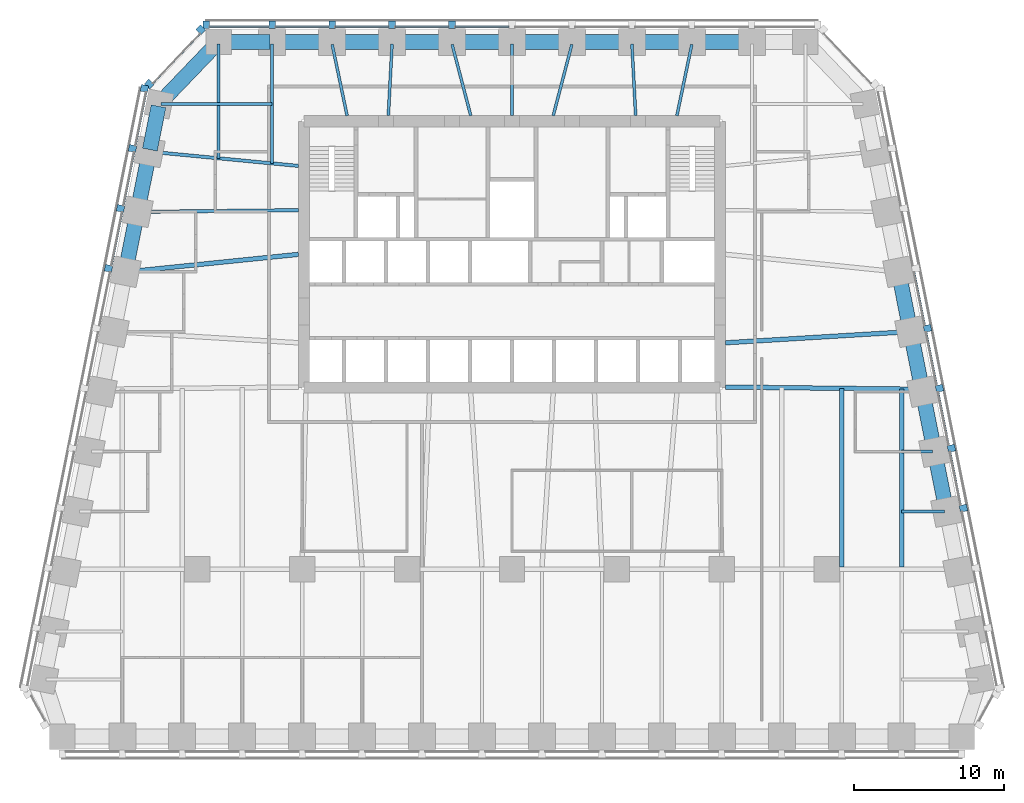
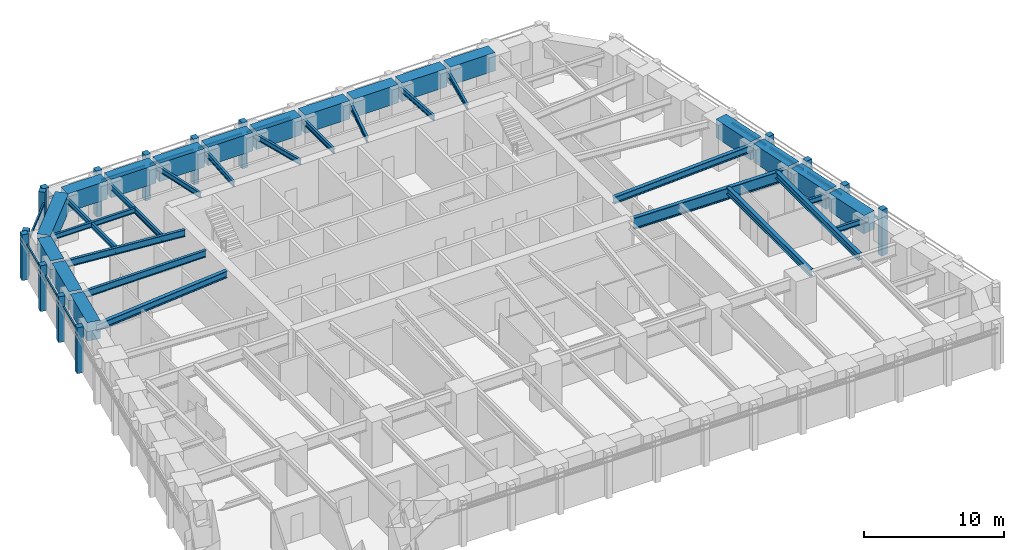
# One storey, part 3 of 10: 36 beams, 28 members, 4 elements without a shape of their own.
"""IFC4 building model written with IfcOpenShell, lengths in metres."""

from ifc_helpers import new_model, si_unit, direction, frame, origin, origin_2d, place, context, subcontext, project, spatial, rectangle, i_section, extrude, material, material_profile, profile_set, type_object, element, aggregate, save


model = new_model("IFC4")

# Units and contexts
model_context = context("Model", 3, precision=1e-05, world=origin(), true_north=direction((0.0, 1.0)))
body_context = subcontext(model_context, "Body", "Model", "MODEL_VIEW")
ifc_project = project(units=[si_unit("LENGTHUNIT", "METRE"), si_unit("AREAUNIT", "SQUARE_METRE"), si_unit("VOLUMEUNIT", "CUBIC_METRE"), si_unit("PLANEANGLEUNIT", "RADIAN"), si_unit("MASSUNIT", "GRAM", prefix="KILO")], contexts=[model_context])

# Site, building, storey
site_placement = place(None, origin())
site = spatial("IfcSite", under=ifc_project, at=site_placement, CompositionType="ELEMENT")
building_placement = place(site_placement, origin())
building = spatial("IfcBuilding", under=site, at=building_placement, Name="Isbrekke Arena Tower", CompositionType="ELEMENT")
storey_placement = place(building_placement, frame((0.0, 0.0, 111.0)))
storey = spatial("IfcBuildingStorey", under=building, at=storey_placement, Name="L24", CompositionType="ELEMENT", Elevation=111.0)

# Beams
ifc_material_1 = material(Name="Steel S355", Category="steel")
ifc_material_profile_1 = material_profile(ifc_material_1, i_section(OverallWidth=0.219970703125, OverallDepth=0.60009765625, WebThickness=0.011962890625, FlangeThickness=0.01904296875, FilletRadius=0.02392578125, at=origin_2d()), Name="IPE 600")
ifc_profile_set_1 = profile_set([ifc_material_profile_1], Name="Steel S355")
beam_type_1 = type_object("IfcBeamType", Name="B1 IPE 600", PredefinedType="BEAM", material=ifc_profile_set_1)
beam_1_placement = place(storey_placement, frame((-24.030517578125, 21.837158203125, 3.550048828125), z_axis=(0.995439798606, -0.095391862082, 0.0), x_axis=(0.095391862082, 0.995439798606, 0.0)))
element("IfcBeam", 1, at=beam_1_placement, inside=storey, type_object=beam_type_1, Name="B1 beam E-W02 L24", PredefinedType="BEAM", context=body_context, shape_type="SweptSolid", body=[
    extrude(i_section(OverallWidth=0.219970703125, OverallDepth=0.60009765625, WebThickness=0.011962890625, FlangeThickness=0.01904296875, FilletRadius=0.02392578125, at=origin_2d()), origin(), (0.0, 0.0, 1.0), 9.825439453125),
])
beam_2_placement = place(storey_placement, frame((-24.83984375, 17.838134765625, 3.550048828125), z_axis=(0.999944260169, 0.010558245831, 0.0), x_axis=(-0.010558245831, 0.999944260169, 0.0)))
element("IfcBeam", 2, at=beam_2_placement, inside=storey, type_object=beam_type_1, Name="B1 beam E-W03 L24", PredefinedType="BEAM", context=body_context, shape_type="SweptSolid", body=[
    extrude(i_section(OverallWidth=0.219970703125, OverallDepth=0.60009765625, WebThickness=0.011962890625, FlangeThickness=0.01904296875, FilletRadius=0.02392578125, at=origin_2d()), origin(), (0.0, 0.0, 1.0), 10.59033203125),
])
ifc_material_2 = material(Name="Steel S355", Category="steel")
ifc_material_profile_2 = material_profile(ifc_material_2, i_section(OverallWidth=0.18994140625, OverallDepth=0.449951171875, WebThickness=0.009521484375, FlangeThickness=0.0146484375, FilletRadius=0.02099609375, at=origin_2d()), Name="IPE 450")
ifc_profile_set_2 = profile_set([ifc_material_profile_2], Name="Steel S355")
beam_type_2 = type_object("IfcBeamType", Name="B2 IPE 450", PredefinedType="BEAM", material=ifc_profile_set_2)
beam_3_placement = place(storey_placement, frame((28.841064453125, -2.161865234375, 3.625), z_axis=(-1.0, 0.0, 0.0), x_axis=(0.0, -1.0, 0.0)))
element("IfcBeam", 3, at=beam_3_placement, inside=storey, type_object=beam_type_2, Name="B2 beam E-E04 L24", PredefinedType="BEAM", context=body_context, shape_type="SweptSolid", body=[
    extrude(i_section(OverallWidth=0.18994140625, OverallDepth=0.449951171875, WebThickness=0.009521484375, FlangeThickness=0.0146484375, FilletRadius=0.02099609375, at=origin_2d()), origin(), (0.0, 0.0, 1.0), 2.841064453125),
])
beam_4_placement = place(storey_placement, frame((28.041015625, 1.838134765625, 3.625), z_axis=(-1.0, 0.0, 0.0), x_axis=(0.0, -1.0, 0.0)))
element("IfcBeam", 4, at=beam_4_placement, inside=storey, type_object=beam_type_2, Name="B2 beam E-E05 L24", PredefinedType="BEAM", context=body_context, shape_type="SweptSolid", body=[
    extrude(i_section(OverallWidth=0.18994140625, OverallDepth=0.449951171875, WebThickness=0.009521484375, FlangeThickness=0.0146484375, FilletRadius=0.02099609375, at=origin_2d()), origin(), (0.0, 0.0, 1.0), 2.041015625),
])
beam_5_placement = place(storey_placement, frame((-23.40283203125, 25.029296875, 3.625), z_axis=(1.0, 0.0, 0.0), x_axis=(0.0, 1.0, 0.0)))
element("IfcBeam", 5, at=beam_5_placement, inside=storey, type_object=beam_type_2, Name="B2 beam E-W01 L24", PredefinedType="BEAM", context=body_context, shape_type="SweptSolid", body=[
    extrude(i_section(OverallWidth=0.18994140625, OverallDepth=0.449951171875, WebThickness=0.009521484375, FlangeThickness=0.0146484375, FilletRadius=0.02099609375, at=origin_2d()), origin(), (0.0, 0.0, 1.0), 7.40283203125),
])
ifc_material_3 = material(Name="Steel S355", Category="steel")
ifc_material_profile_3 = material_profile(ifc_material_3, i_section(OverallWidth=0.18994140625, OverallDepth=0.449951171875, WebThickness=0.009521484375, FlangeThickness=0.0146484375, FilletRadius=0.02099609375, at=origin_2d()), Name="IPE 450")
ifc_profile_set_3 = profile_set([ifc_material_profile_3], Name="Steel S355")
beam_type_3 = type_object("IfcBeamType", Name="B3 IPE 450", PredefinedType="BEAM", material=ifc_profile_set_3)
beam_6_placement = place(storey_placement, frame((-16.0, 29.02490234375, 3.625), z_axis=(0.0, -1.0, 0.0), x_axis=(1.0, 0.0, 0.0)))
element("IfcBeam", 6, at=beam_6_placement, inside=storey, type_object=beam_type_3, Name="B3 beam N-N10 L24", PredefinedType="BEAM", context=body_context, shape_type="SweptSolid", body=[
    extrude(i_section(OverallWidth=0.18994140625, OverallDepth=0.449951171875, WebThickness=0.009521484375, FlangeThickness=0.0146484375, FilletRadius=0.02099609375, at=origin_2d()), origin(), (0.0, 0.0, 1.0), 7.957275390625),
])
beam_7_placement = place(storey_placement, frame((-19.574951171875, 29.02490234375, 3.625), z_axis=(0.0, -1.0, 0.0), x_axis=(1.0, 0.0, 0.0)))
element("IfcBeam", 7, at=beam_7_placement, inside=storey, type_object=beam_type_3, Name="B3 beam N-N11 L24", PredefinedType="BEAM", context=body_context, shape_type="SweptSolid", body=[
    extrude(i_section(OverallWidth=0.18994140625, OverallDepth=0.449951171875, WebThickness=0.009521484375, FlangeThickness=0.0146484375, FilletRadius=0.02099609375, at=origin_2d()), origin(), (0.0, 0.0, 1.0), 7.61474609375),
])
beam_8_placement = place(storey_placement, frame((11.99609375, 29.005859375, 3.625), z_axis=(-0.20499748459, -0.978762499952, 0.0), x_axis=(0.978762499952, -0.20499748459, 0.0)))
element("IfcBeam", 8, at=beam_8_placement, inside=storey, type_object=beam_type_3, Name="B3 beam N-N03 L24", PredefinedType="BEAM", context=body_context, shape_type="SweptSolid", body=[
    extrude(i_section(OverallWidth=0.18994140625, OverallDepth=0.449951171875, WebThickness=0.009521484375, FlangeThickness=0.0146484375, FilletRadius=0.02099609375, at=origin_2d()), origin(), (0.0, 0.0, 1.0), 4.859130859375),
])
beam_9_placement = place(storey_placement, frame((8.000244140625, 29.02001953125, 3.625), z_axis=(0.052287879538, -0.998632053187, 0.0), x_axis=(0.998632053187, 0.052287879538, 0.0)))
element("IfcBeam", 9, at=beam_9_placement, inside=storey, type_object=beam_type_3, Name="B3 beam N-N04 L24", PredefinedType="BEAM", context=body_context, shape_type="SweptSolid", body=[
    extrude(i_section(OverallWidth=0.18994140625, OverallDepth=0.449951171875, WebThickness=0.009521484375, FlangeThickness=0.0146484375, FilletRadius=0.02099609375, at=origin_2d()), origin(), (0.0, 0.0, 1.0), 4.776611328125),
])
beam_10_placement = place(storey_placement, frame((3.993896484375, 29.001708984375, 3.625), z_axis=(-0.253245319824, -0.967402092197, 0.0), x_axis=(0.967402092197, -0.253245319824, 0.0)))
element("IfcBeam", 10, at=beam_10_placement, inside=storey, type_object=beam_type_3, Name="B3 beam N-N05 L24", PredefinedType="BEAM", context=body_context, shape_type="SweptSolid", body=[
    extrude(i_section(OverallWidth=0.18994140625, OverallDepth=0.449951171875, WebThickness=0.009521484375, FlangeThickness=0.0146484375, FilletRadius=0.02099609375, at=origin_2d()), origin(), (0.0, 0.0, 1.0), 4.911865234375),
])
beam_11_placement = place(storey_placement, frame((0.0, 29.02490234375, 3.625), z_axis=(0.0, -1.0, 0.0), x_axis=(1.0, 0.0, 0.0)))
element("IfcBeam", 11, at=beam_11_placement, inside=storey, type_object=beam_type_3, Name="B3 beam N-N06 L24", PredefinedType="BEAM", context=body_context, shape_type="SweptSolid", body=[
    extrude(i_section(OverallWidth=0.18994140625, OverallDepth=0.449951171875, WebThickness=0.009521484375, FlangeThickness=0.0146484375, FilletRadius=0.02099609375, at=origin_2d()), origin(), (0.0, 0.0, 1.0), 4.77490234375),
])
beam_12_placement = place(storey_placement, frame((-3.993896484375, 29.001708984375, 3.625), z_axis=(0.253245319824, -0.967402092197, 0.0), x_axis=(0.967402092197, 0.253245319824, 0.0)))
element("IfcBeam", 12, at=beam_12_placement, inside=storey, type_object=beam_type_3, Name="B3 beam N-N07 L24", PredefinedType="BEAM", context=body_context, shape_type="SweptSolid", body=[
    extrude(i_section(OverallWidth=0.18994140625, OverallDepth=0.449951171875, WebThickness=0.009521484375, FlangeThickness=0.0146484375, FilletRadius=0.02099609375, at=origin_2d()), origin(), (0.0, 0.0, 1.0), 4.911865234375),
])
beam_13_placement = place(storey_placement, frame((-8.000244140625, 29.02001953125, 3.625), z_axis=(-0.052287879538, -0.998632053187, 0.0), x_axis=(0.998632053187, -0.052287879538, 0.0)))
element("IfcBeam", 13, at=beam_13_placement, inside=storey, type_object=beam_type_3, Name="B3 beam N-N08 L24", PredefinedType="BEAM", context=body_context, shape_type="SweptSolid", body=[
    extrude(i_section(OverallWidth=0.18994140625, OverallDepth=0.449951171875, WebThickness=0.009521484375, FlangeThickness=0.0146484375, FilletRadius=0.02099609375, at=origin_2d()), origin(), (0.0, 0.0, 1.0), 4.776611328125),
])
beam_14_placement = place(storey_placement, frame((-11.99609375, 29.005859375, 3.625), z_axis=(0.20499748459, -0.978762499952, 0.0), x_axis=(0.978762499952, 0.20499748459, 0.0)))
element("IfcBeam", 14, at=beam_14_placement, inside=storey, type_object=beam_type_3, Name="B3 beam N-N09 L24", PredefinedType="BEAM", context=body_context, shape_type="SweptSolid", body=[
    extrude(i_section(OverallWidth=0.18994140625, OverallDepth=0.449951171875, WebThickness=0.009521484375, FlangeThickness=0.0146484375, FilletRadius=0.02099609375, at=origin_2d()), origin(), (0.0, 0.0, 1.0), 4.859130859375),
])
ifc_material_4 = material(Name="Steel S355", Category="steel")
ifc_material_profile_4 = material_profile(ifc_material_4, i_section(OverallWidth=0.300048828125, OverallDepth=0.60009765625, WebThickness=0.015380859375, FlangeThickness=0.030029296875, FilletRadius=0.027099609375, at=origin_2d()), Name="HEB 600")
ifc_profile_set_4 = profile_set([ifc_material_profile_4], Name="Steel S355")
beam_type_4 = type_object("IfcBeamType", Name="B7 HEB 600", PredefinedType="BEAM", material=ifc_profile_set_4)
beam_15_placement = place(storey_placement, frame((22.0, -5.84912109375, 3.550048828125), z_axis=(0.0, 1.0, 0.0), x_axis=(-1.0, 0.0, 0.0)))
element("IfcBeam", 15, at=beam_15_placement, inside=storey, type_object=beam_type_4, Name="B7 beam C-M13 L24", PredefinedType="BEAM", context=body_context, shape_type="SweptSolid", body=[
    extrude(i_section(OverallWidth=0.300048828125, OverallDepth=0.60009765625, WebThickness=0.015380859375, FlangeThickness=0.030029296875, FilletRadius=0.027099609375, at=origin_2d()), origin(), (0.0, 0.0, 1.0), 11.91064453125),
])
beam_16_placement = place(storey_placement, frame((26.0, -5.84912109375, 3.550048828125), z_axis=(0.0, 1.0, 0.0), x_axis=(-1.0, 0.0, 0.0)))
element("IfcBeam", 16, at=beam_16_placement, inside=storey, type_object=beam_type_4, Name="B7 beam C-M14 L24", PredefinedType="BEAM", context=body_context, shape_type="SweptSolid", body=[
    extrude(i_section(OverallWidth=0.300048828125, OverallDepth=0.60009765625, WebThickness=0.015380859375, FlangeThickness=0.030029296875, FilletRadius=0.027099609375, at=origin_2d()), origin(), (0.0, 0.0, 1.0), 11.864990234375),
])
beam_17_placement = place(storey_placement, frame((26.431884765625, 9.837646484375, 3.550048828125), z_axis=(-0.998172191876, -0.060434057993, 0.0), x_axis=(0.060434057993, -0.998172191876, 0.0)))
element("IfcBeam", 17, at=beam_17_placement, inside=storey, type_object=beam_type_4, Name="B7 beam E-E07 L24", PredefinedType="BEAM", context=body_context, shape_type="SweptSolid", body=[
    extrude(i_section(OverallWidth=0.300048828125, OverallDepth=0.60009765625, WebThickness=0.015380859375, FlangeThickness=0.030029296875, FilletRadius=0.027099609375, at=origin_2d()), origin(), (0.0, 0.0, 1.0), 12.2041015625),
])
beam_18_placement = place(storey_placement, frame((-25.6259765625, 13.83984375, 3.550048828125), z_axis=(0.994839949319, 0.10145676537, 0.0), x_axis=(-0.10145676537, 0.994839949319, 0.0)))
element("IfcBeam", 18, at=beam_18_placement, inside=storey, type_object=beam_type_4, Name="B7 beam E-W04 L24", PredefinedType="BEAM", context=body_context, shape_type="SweptSolid", body=[
    extrude(i_section(OverallWidth=0.300048828125, OverallDepth=0.60009765625, WebThickness=0.015380859375, FlangeThickness=0.030029296875, FilletRadius=0.027099609375, at=origin_2d()), origin(), (0.0, 0.0, 1.0), 11.43505859375),
])

# Curtain wall, members
ifc_material_5 = material(Name="Glazed aluminium curtain wall", Category="aluminium")
curtain_wall_type = type_object("IfcCurtainWallType", Name="CWM TOWER CURTAIN WALL MID ZONE", PredefinedType="USERDEFINED", material=ifc_material_5)
curtain_wall_1_placement = place(storey_placement, origin())
curtain_wall_1 = element("IfcCurtainWall", 19, at=curtain_wall_1_placement, inside=storey, type_object=curtain_wall_type, Name="CWM curtain wall L24-E", ObjectType="TOWER CURTAIN WALL MID ZONE", PredefinedType="USERDEFINED")
ifc_material_6 = material(Name="Aluminium mullion, pale brick slip cladding", Category="masonry")
ifc_material_profile_5 = material_profile(ifc_material_6, rectangle(XDim=0.449951171875, YDim=0.5, at=origin_2d()), Name="PIER 450X500")
ifc_profile_set_5 = profile_set([ifc_material_profile_5], Name="Aluminium mullion, pale brick slip cladding")
member_type_1 = type_object("IfcMemberType", Name="CWM-M PIER MULLION 450 x 500", PredefinedType="MULLION", material=ifc_profile_set_5)
member_1_placement = place(storey_placement, frame((30.11865234375, -1.936279296875, 0.0), z_axis=(0.0, 0.0, 1.0), x_axis=(-0.196116135138, 0.980580675691, 0.0)))
member_1 = element("IfcMember", 20, at=member_1_placement, type_object=member_type_1, Name="CWM-M mullion 4", PredefinedType="MULLION", context=body_context, shape_type="SweptSolid", body=[
    extrude(rectangle(XDim=0.449951171875, YDim=0.5, at=origin_2d()), origin(), (0.0, 0.0, 1.0), 4.0),
])
member_2_placement = place(storey_placement, frame((29.318603515625, 2.063720703125, 0.0), z_axis=(0.0, 0.0, 1.0), x_axis=(-0.196116135138, 0.980580675691, 0.0)))
member_2 = element("IfcMember", 21, at=member_2_placement, type_object=member_type_1, Name="CWM-M mullion 5", PredefinedType="MULLION", context=body_context, shape_type="SweptSolid", body=[
    extrude(rectangle(XDim=0.449951171875, YDim=0.5, at=origin_2d()), origin(), (0.0, 0.0, 1.0), 4.0),
])
member_3_placement = place(storey_placement, frame((28.518798828125, 6.063720703125, 0.0), z_axis=(0.0, 0.0, 1.0), x_axis=(-0.196116135138, 0.980580675691, 0.0)))
member_3 = element("IfcMember", 22, at=member_3_placement, type_object=member_type_1, Name="CWM-M mullion 6", PredefinedType="MULLION", context=body_context, shape_type="SweptSolid", body=[
    extrude(rectangle(XDim=0.449951171875, YDim=0.5, at=origin_2d()), origin(), (0.0, 0.0, 1.0), 4.0),
])
member_4_placement = place(storey_placement, frame((27.71875, 10.063720703125, 0.0), z_axis=(0.0, 0.0, 1.0), x_axis=(-0.196116135138, 0.980580675691, 0.0)))
member_4 = element("IfcMember", 23, at=member_4_placement, type_object=member_type_1, Name="CWM-M mullion 7", PredefinedType="MULLION", context=body_context, shape_type="SweptSolid", body=[
    extrude(rectangle(XDim=0.449951171875, YDim=0.5, at=origin_2d()), origin(), (0.0, 0.0, 1.0), 4.0),
])

curtain_wall_2_placement = place(storey_placement, origin())
curtain_wall_2 = element("IfcCurtainWall", 24, at=curtain_wall_2_placement, inside=storey, type_object=curtain_wall_type, Name="CWM curtain wall L24-N", ObjectType="TOWER CURTAIN WALL MID ZONE", PredefinedType="USERDEFINED")
member_5_placement = place(storey_placement, frame((-4.0, 30.324951171875, 0.0), z_axis=(0.0, 0.0, 1.0), x_axis=(-1.0, 0.0, 0.0)))
member_5 = element("IfcMember", 25, at=member_5_placement, type_object=member_type_1, Name="CWM-M mullion 7", PredefinedType="MULLION", context=body_context, shape_type="SweptSolid", body=[
    extrude(rectangle(XDim=0.449951171875, YDim=0.5, at=origin_2d()), origin(), (0.0, 0.0, 1.0), 4.0),
])
member_6_placement = place(storey_placement, frame((-8.0, 30.324951171875, 0.0), z_axis=(0.0, 0.0, 1.0), x_axis=(-1.0, 0.0, 0.0)))
member_6 = element("IfcMember", 26, at=member_6_placement, type_object=member_type_1, Name="CWM-M mullion 8", PredefinedType="MULLION", context=body_context, shape_type="SweptSolid", body=[
    extrude(rectangle(XDim=0.449951171875, YDim=0.5, at=origin_2d()), origin(), (0.0, 0.0, 1.0), 4.0),
])
member_7_placement = place(storey_placement, frame((-12.0, 30.324951171875, 0.0), z_axis=(0.0, 0.0, 1.0), x_axis=(-1.0, 0.0, 0.0)))
member_7 = element("IfcMember", 27, at=member_7_placement, type_object=member_type_1, Name="CWM-M mullion 9", PredefinedType="MULLION", context=body_context, shape_type="SweptSolid", body=[
    extrude(rectangle(XDim=0.449951171875, YDim=0.5, at=origin_2d()), origin(), (0.0, 0.0, 1.0), 4.0),
])
member_8_placement = place(storey_placement, frame((-16.0, 30.324951171875, 0.0), z_axis=(0.0, 0.0, 1.0), x_axis=(-1.0, 0.0, 0.0)))
member_8 = element("IfcMember", 28, at=member_8_placement, type_object=member_type_1, Name="CWM-M mullion 10", PredefinedType="MULLION", context=body_context, shape_type="SweptSolid", body=[
    extrude(rectangle(XDim=0.449951171875, YDim=0.5, at=origin_2d()), origin(), (0.0, 0.0, 1.0), 4.0),
])
member_9_placement = place(storey_placement, frame((-20.39990234375, 30.324951171875, 0.0), z_axis=(0.0, 0.0, 1.0), x_axis=(-1.0, 0.0, 0.0)))
member_9 = element("IfcMember", 29, at=member_9_placement, type_object=member_type_1, Name="CWM-M mullion 11", PredefinedType="MULLION", context=body_context, shape_type="SweptSolid", body=[
    extrude(rectangle(XDim=0.449951171875, YDim=0.5, at=origin_2d()), origin(), (0.0, 0.0, 1.0), 4.0),
])

curtain_wall_3_placement = place(storey_placement, origin())
curtain_wall_3 = element("IfcCurtainWall", 30, at=curtain_wall_3_placement, inside=storey, type_object=curtain_wall_type, Name="CWM curtain wall L24-NW", ObjectType="TOWER CURTAIN WALL MID ZONE", PredefinedType="USERDEFINED")
member_10_placement = place(storey_placement, frame((-20.759033203125, 29.985107421875, 0.0), z_axis=(0.0, 0.0, 1.0), x_axis=(-0.68874946192, -0.72499943359, 0.0)))
member_10 = element("IfcMember", 31, at=member_10_placement, type_object=member_type_1, Name="CWM-M mullion 1", PredefinedType="MULLION", context=body_context, shape_type="SweptSolid", body=[
    extrude(rectangle(XDim=0.449951171875, YDim=0.5, at=origin_2d()), origin(), (0.0, 0.0, 1.0), 4.0),
])
member_11_placement = place(storey_placement, frame((-24.207763671875, 26.35498046875, 0.0), z_axis=(0.0, 0.0, 1.0), x_axis=(-0.68874946192, -0.72499943359, 0.0)))
member_11 = element("IfcMember", 32, at=member_11_placement, type_object=member_type_1, Name="CWM-M mullion 2", PredefinedType="MULLION", context=body_context, shape_type="SweptSolid", body=[
    extrude(rectangle(XDim=0.449951171875, YDim=0.5, at=origin_2d()), origin(), (0.0, 0.0, 1.0), 4.0),
])

curtain_wall_4_placement = place(storey_placement, origin())
curtain_wall_4 = element("IfcCurtainWall", 33, at=curtain_wall_4_placement, inside=storey, type_object=curtain_wall_type, Name="CWM curtain wall L24-W", ObjectType="TOWER CURTAIN WALL MID ZONE", PredefinedType="USERDEFINED")
member_12_placement = place(storey_placement, frame((-24.518798828125, 26.063720703125, 0.0), z_axis=(0.0, 0.0, 1.0), x_axis=(-0.196116135138, -0.980580675691, 0.0)))
member_12 = element("IfcMember", 34, at=member_12_placement, type_object=member_type_1, Name="CWM-M mullion 1", PredefinedType="MULLION", context=body_context, shape_type="SweptSolid", body=[
    extrude(rectangle(XDim=0.449951171875, YDim=0.5, at=origin_2d()), origin(), (0.0, 0.0, 1.0), 4.0),
])
member_13_placement = place(storey_placement, frame((-25.318603515625, 22.063720703125, 0.0), z_axis=(0.0, 0.0, 1.0), x_axis=(-0.196116135138, -0.980580675691, 0.0)))
member_13 = element("IfcMember", 35, at=member_13_placement, type_object=member_type_1, Name="CWM-M mullion 2", PredefinedType="MULLION", context=body_context, shape_type="SweptSolid", body=[
    extrude(rectangle(XDim=0.449951171875, YDim=0.5, at=origin_2d()), origin(), (0.0, 0.0, 1.0), 4.0),
])
member_14_placement = place(storey_placement, frame((-26.11865234375, 18.063720703125, 0.0), z_axis=(0.0, 0.0, 1.0), x_axis=(-0.196116135138, -0.980580675691, 0.0)))
member_14 = element("IfcMember", 36, at=member_14_placement, type_object=member_type_1, Name="CWM-M mullion 3", PredefinedType="MULLION", context=body_context, shape_type="SweptSolid", body=[
    extrude(rectangle(XDim=0.449951171875, YDim=0.5, at=origin_2d()), origin(), (0.0, 0.0, 1.0), 4.0),
])
member_15_placement = place(storey_placement, frame((-26.918701171875, 14.063720703125, 0.0), z_axis=(0.0, 0.0, 1.0), x_axis=(-0.196116135138, -0.980580675691, 0.0)))
member_15 = element("IfcMember", 37, at=member_15_placement, type_object=member_type_1, Name="CWM-M mullion 4", PredefinedType="MULLION", context=body_context, shape_type="SweptSolid", body=[
    extrude(rectangle(XDim=0.449951171875, YDim=0.5, at=origin_2d()), origin(), (0.0, 0.0, 1.0), 4.0),
])

# Member
ifc_material_7 = material(Name="Aluminium transom", Category="aluminium")
ifc_material_profile_6 = material_profile(ifc_material_7, rectangle(XDim=0.1201171875, YDim=0.199951171875, at=origin_2d()), Name="TRANSOM 120X200")
ifc_profile_set_6 = profile_set([ifc_material_profile_6], Name="Aluminium transom")
member_type_2 = type_object("IfcMemberType", Name="CWM-T TRANSOM 120 x 200", PredefinedType="USERDEFINED", material=ifc_profile_set_6)
member_16_placement = place(storey_placement, frame((29.927490234375, -1.7451171875, 3.0), z_axis=(-0.196090262229, 0.980585849918, 0.0), x_axis=(-0.980585849918, -0.196090262229, 0.0)))
member_16 = element("IfcMember", 38, at=member_16_placement, type_object=member_type_2, Name="CWM-T transom 4", ObjectType="TRANSOM", PredefinedType="USERDEFINED", context=body_context, shape_type="SweptSolid", body=[
    extrude(rectangle(XDim=0.1201171875, YDim=0.199951171875, at=origin_2d()), origin(), (0.0, 0.0, 1.0), 3.62939453125),
])

member_17_placement = place(storey_placement, frame((29.12744140625, 2.2548828125, 3.0), z_axis=(-0.196090262229, 0.980585849918, 0.0), x_axis=(-0.980585849918, -0.196090262229, 0.0)))
member_17 = element("IfcMember", 39, at=member_17_placement, type_object=member_type_2, Name="CWM-T transom 5", ObjectType="TRANSOM", PredefinedType="USERDEFINED", context=body_context, shape_type="SweptSolid", body=[
    extrude(rectangle(XDim=0.1201171875, YDim=0.199951171875, at=origin_2d()), origin(), (0.0, 0.0, 1.0), 3.62939453125),
])

member_18_placement = place(storey_placement, frame((28.327392578125, 6.2548828125, 3.0), z_axis=(-0.196090262229, 0.980585849918, 0.0), x_axis=(-0.980585849918, -0.196090262229, 0.0)))
member_18 = element("IfcMember", 40, at=member_18_placement, type_object=member_type_2, Name="CWM-T transom 6", ObjectType="TRANSOM", PredefinedType="USERDEFINED", context=body_context, shape_type="SweptSolid", body=[
    extrude(rectangle(XDim=0.1201171875, YDim=0.199951171875, at=origin_2d()), origin(), (0.0, 0.0, 1.0), 3.62939453125),
])

member_19_placement = place(storey_placement, frame((27.527587890625, 10.2548828125, 3.0), z_axis=(-0.196154943734, 0.980572913173, 0.0), x_axis=(-0.980572913173, -0.196154943734, 0.0)))
member_19 = element("IfcMember", 41, at=member_19_placement, type_object=member_type_2, Name="CWM-T transom 7", ObjectType="TRANSOM", PredefinedType="USERDEFINED", context=body_context, shape_type="SweptSolid", body=[
    extrude(rectangle(XDim=0.1201171875, YDim=0.199951171875, at=origin_2d()), origin(), (0.0, 0.0, 1.0), 3.62939453125),
])

aggregate(curtain_wall_1, [member_1, member_2, member_3, member_4, member_16, member_17, member_18, member_19])

member_20_placement = place(storey_placement, frame((-0.22509765625, 30.175048828125, 3.0), z_axis=(-1.0, 0.0, 0.0), x_axis=(0.0, -1.0, 0.0)))
member_20 = element("IfcMember", 42, at=member_20_placement, type_object=member_type_2, Name="CWM-T transom 6", ObjectType="TRANSOM", PredefinedType="USERDEFINED", context=body_context, shape_type="SweptSolid", body=[
    extrude(rectangle(XDim=0.1201171875, YDim=0.199951171875, at=origin_2d()), origin(), (0.0, 0.0, 1.0), 3.5498046875),
])

member_21_placement = place(storey_placement, frame((-4.22509765625, 30.175048828125, 3.0), z_axis=(-1.0, 0.0, 0.0), x_axis=(0.0, -1.0, 0.0)))
member_21 = element("IfcMember", 43, at=member_21_placement, type_object=member_type_2, Name="CWM-T transom 7", ObjectType="TRANSOM", PredefinedType="USERDEFINED", context=body_context, shape_type="SweptSolid", body=[
    extrude(rectangle(XDim=0.1201171875, YDim=0.199951171875, at=origin_2d()), origin(), (0.0, 0.0, 1.0), 3.5498046875),
])

member_22_placement = place(storey_placement, frame((-8.22509765625, 30.175048828125, 3.0), z_axis=(-1.0, 0.0, 0.0), x_axis=(0.0, -1.0, 0.0)))
member_22 = element("IfcMember", 44, at=member_22_placement, type_object=member_type_2, Name="CWM-T transom 8", ObjectType="TRANSOM", PredefinedType="USERDEFINED", context=body_context, shape_type="SweptSolid", body=[
    extrude(rectangle(XDim=0.1201171875, YDim=0.199951171875, at=origin_2d()), origin(), (0.0, 0.0, 1.0), 3.5498046875),
])

member_23_placement = place(storey_placement, frame((-12.22509765625, 30.175048828125, 3.0), z_axis=(-1.0, 0.0, 0.0), x_axis=(0.0, -1.0, 0.0)))
member_23 = element("IfcMember", 45, at=member_23_placement, type_object=member_type_2, Name="CWM-T transom 9", ObjectType="TRANSOM", PredefinedType="USERDEFINED", context=body_context, shape_type="SweptSolid", body=[
    extrude(rectangle(XDim=0.1201171875, YDim=0.199951171875, at=origin_2d()), origin(), (0.0, 0.0, 1.0), 3.5498046875),
])

member_24_placement = place(storey_placement, frame((-16.22509765625, 30.175048828125, 3.0), z_axis=(-1.0, 0.0, 0.0), x_axis=(0.0, -1.0, 0.0)))
member_24 = element("IfcMember", 46, at=member_24_placement, type_object=member_type_2, Name="CWM-T transom 10", ObjectType="TRANSOM", PredefinedType="USERDEFINED", context=body_context, shape_type="SweptSolid", body=[
    extrude(rectangle(XDim=0.1201171875, YDim=0.199951171875, at=origin_2d()), origin(), (0.0, 0.0, 1.0), 3.949951171875),
])

aggregate(curtain_wall_2, [member_5, member_6, member_7, member_8, member_9, member_20, member_21, member_22, member_23, member_24])

member_25_placement = place(storey_placement, frame((-20.80517578125, 29.71875, 3.0), z_axis=(-0.688739606035, -0.725008796552, 0.0), x_axis=(0.725008796552, -0.688739606035, 0.0)))
member_25 = element("IfcMember", 47, at=member_25_placement, type_object=member_type_2, Name="CWM-T transom 1", ObjectType="TRANSOM", PredefinedType="USERDEFINED", context=body_context, shape_type="SweptSolid", body=[
    extrude(rectangle(XDim=0.1201171875, YDim=0.199951171875, at=origin_2d()), origin(), (0.0, 0.0, 1.0), 4.55712890625),
])

aggregate(curtain_wall_3, [member_10, member_11, member_25])

member_26_placement = place(storey_placement, frame((-24.415771484375, 25.813720703125, 3.0), z_axis=(-0.196090262229, -0.980585849918, 0.0), x_axis=(0.980585849918, -0.196090262229, 0.0)))
member_26 = element("IfcMember", 48, at=member_26_placement, type_object=member_type_2, Name="CWM-T transom 1", ObjectType="TRANSOM", PredefinedType="USERDEFINED", context=body_context, shape_type="SweptSolid", body=[
    extrude(rectangle(XDim=0.1201171875, YDim=0.199951171875, at=origin_2d()), origin(), (0.0, 0.0, 1.0), 3.62939453125),
])

member_27_placement = place(storey_placement, frame((-25.2158203125, 21.813720703125, 3.0), z_axis=(-0.196090262229, -0.980585849918, 0.0), x_axis=(0.980585849918, -0.196090262229, 0.0)))
member_27 = element("IfcMember", 49, at=member_27_placement, type_object=member_type_2, Name="CWM-T transom 2", ObjectType="TRANSOM", PredefinedType="USERDEFINED", context=body_context, shape_type="SweptSolid", body=[
    extrude(rectangle(XDim=0.1201171875, YDim=0.199951171875, at=origin_2d()), origin(), (0.0, 0.0, 1.0), 3.62939453125),
])

member_28_placement = place(storey_placement, frame((-26.015625, 17.813720703125, 3.0), z_axis=(-0.196154943734, -0.980572913173, 0.0), x_axis=(0.980572913173, -0.196154943734, 0.0)))
member_28 = element("IfcMember", 50, at=member_28_placement, type_object=member_type_2, Name="CWM-T transom 3", ObjectType="TRANSOM", PredefinedType="USERDEFINED", context=body_context, shape_type="SweptSolid", body=[
    extrude(rectangle(XDim=0.1201171875, YDim=0.199951171875, at=origin_2d()), origin(), (0.0, 0.0, 1.0), 3.62939453125),
])

aggregate(curtain_wall_4, [member_12, member_13, member_14, member_15, member_26, member_27, member_28])

# Beams
ifc_material_8 = material(Name="Steel S355", Category="steel")
ifc_material_profile_7 = material_profile(ifc_material_8, i_section(OverallWidth=0.302001953125, OverallDepth=1.008056640625, WebThickness=0.02099609375, FlangeThickness=0.0400390625, FilletRadius=0.030029296875, at=origin_2d()), Name="HEM 1000")
ifc_profile_set_7 = profile_set([ifc_material_profile_7], Name="Steel S355")
beam_type_5 = type_object("IfcBeamType", Name="G2 HEM 1000", PredefinedType="BEAM", material=ifc_profile_set_7)
beam_19_placement = place(storey_placement, frame((14.25, 6.14990234375, 3.345947265625), z_axis=(0.999934928157, -0.011407867963, 0.0), x_axis=(0.011407867963, 0.999934928157, 0.0)))
element("IfcBeam", 51, at=beam_19_placement, inside=storey, type_object=beam_type_5, Name="G2 beam G2-E L24", PredefinedType="BEAM", context=body_context, shape_type="SweptSolid", body=[
    extrude(i_section(OverallWidth=0.302001953125, OverallDepth=1.008056640625, WebThickness=0.02099609375, FlangeThickness=0.0400390625, FilletRadius=0.030029296875, at=origin_2d()), origin(), (0.0, 0.0, 1.0), 13.140380859375),
])
ifc_material_9 = material(Name="Concrete B80 (C80/95)", Category="concrete")
ifc_material_profile_8 = material_profile(ifc_material_9, rectangle(XDim=1.0, YDim=1.60009765625, at=origin_2d()), Name="RC 1000x1600")
ifc_profile_set_8 = profile_set([ifc_material_profile_8], Name="Concrete B80 (C80/95)")
beam_type_6 = type_object("IfcBeamType", Name="SB2 RC 1000 x 1600", PredefinedType="SPANDREL", material=ifc_profile_set_8)
for number, where, z_axis, x_axis, name in (
    (52, (28.961669921875, -2.0146484375, 3.199951171875), (-0.196128558387, 0.980578190959, 0.0), (-0.980578190959, -0.196128558387, 0.0), "SB2 spandrel E04-E05 L24"),
    (53, (28.16162109375, 1.9853515625, 3.199951171875), (-0.196128558387, 0.980578190959, 0.0), (-0.980578190959, -0.196128558387, 0.0), "SB2 spandrel E05-E06 L24"),
    (54, (27.361572265625, 5.9853515625, 3.199951171875), (-0.196128558387, 0.980578190959, 0.0), (-0.980578190959, -0.196128558387, 0.0), "SB2 spandrel E06-E07 L24"),
):
    element("IfcBeam", number, at=place(storey_placement, frame(where, z_axis=z_axis, x_axis=x_axis)), inside=storey, type_object=beam_type_6, Name=name, PredefinedType="SPANDREL", context=body_context, shape_type="SweptSolid", body=[
        extrude(rectangle(XDim=1.0, YDim=1.60009765625, at=origin_2d()), origin(), (0.0, 0.0, 1.0), 3.779296875),
    ])
beam_20_placement = place(storey_placement, frame((26.5615234375, 9.9853515625, 3.199951171875), z_axis=(-0.1960664412, 0.980590613169, 0.0), x_axis=(-0.980590613169, -0.1960664412, 0.0)))
element("IfcBeam", 55, at=beam_20_placement, inside=storey, type_object=beam_type_6, Name="SB2 spandrel E07-E08 L24", PredefinedType="SPANDREL", context=body_context, shape_type="SweptSolid", body=[
    extrude(rectangle(XDim=1.0, YDim=1.60009765625, at=origin_2d()), origin(), (0.0, 0.0, 1.0), 3.779052734375),
])
for number, where, z_axis, x_axis, name in (
    (56, (15.85009765625, 29.175048828125, 3.199951171875), (-1.0, 0.0, 0.0), (0.0, -1.0, 0.0), "SB2 spandrel N02-N03 L24"),
    (57, (11.85009765625, 29.175048828125, 3.199951171875), (-1.0, 0.0, 0.0), (0.0, -1.0, 0.0), "SB2 spandrel N03-N04 L24"),
    (58, (7.85009765625, 29.175048828125, 3.199951171875), (-1.0, 0.0, 0.0), (0.0, -1.0, 0.0), "SB2 spandrel N04-N05 L24"),
    (59, (3.85009765625, 29.175048828125, 3.199951171875), (-1.0, 0.0, 0.0), (0.0, -1.0, 0.0), "SB2 spandrel N05-N06 L24"),
    (60, (-0.14990234375, 29.175048828125, 3.199951171875), (-1.0, 0.0, 0.0), (0.0, -1.0, 0.0), "SB2 spandrel N06-N07 L24"),
    (61, (-4.14990234375, 29.175048828125, 3.199951171875), (-1.0, 0.0, 0.0), (0.0, -1.0, 0.0), "SB2 spandrel N07-N08 L24"),
    (62, (-8.14990234375, 29.175048828125, 3.199951171875), (-1.0, 0.0, 0.0), (0.0, -1.0, 0.0), "SB2 spandrel N08-N09 L24"),
    (63, (-12.14990234375, 29.175048828125, 3.199951171875), (-1.0, 0.0, 0.0), (0.0, -1.0, 0.0), "SB2 spandrel N09-N10 L24"),
):
    element("IfcBeam", number, at=place(storey_placement, frame(where, z_axis=z_axis, x_axis=x_axis)), inside=storey, type_object=beam_type_6, Name=name, PredefinedType="SPANDREL", context=body_context, shape_type="SweptSolid", body=[
        extrude(rectangle(XDim=1.0, YDim=1.60009765625, at=origin_2d()), origin(), (0.0, 0.0, 1.0), 3.7001953125),
    ])
beam_21_placement = place(storey_placement, frame((-16.14990234375, 29.175048828125, 3.199951171875), z_axis=(-1.0, 0.0, 0.0), x_axis=(0.0, -1.0, 0.0)))
element("IfcBeam", 64, at=beam_21_placement, inside=storey, type_object=beam_type_6, Name="SB2 spandrel N10-N11 L24", PredefinedType="SPANDREL", context=body_context, shape_type="SweptSolid", body=[
    extrude(rectangle(XDim=1.0, YDim=1.60009765625, at=origin_2d()), origin(), (0.0, 0.0, 1.0), 3.275146484375),
])
beam_22_placement = place(storey_placement, frame((-19.678955078125, 29.066650390625, 3.199951171875), z_axis=(-0.692339547635, -0.721571861134, 0.0), x_axis=(0.721571861134, -0.692339547635, 0.0)))
element("IfcBeam", 65, at=beam_22_placement, inside=storey, type_object=beam_type_6, Name="SB2 spandrel N11-W01 L24", PredefinedType="SPANDREL", context=body_context, shape_type="SweptSolid", body=[
    extrude(rectangle(XDim=1.0, YDim=1.60009765625, at=origin_2d()), origin(), (0.0, 0.0, 1.0), 5.4453125),
])
beam_23_placement = place(storey_placement, frame((-23.582275390625, 24.882080078125, 3.199951171875), z_axis=(-0.196116135138, -0.980580675691, 0.0), x_axis=(0.980580675691, -0.196116135138, 0.0)))
element("IfcBeam", 66, at=beam_23_placement, inside=storey, type_object=beam_type_6, Name="SB2 spandrel W01-W02 L24", PredefinedType="SPANDREL", context=body_context, shape_type="SweptSolid", body=[
    extrude(rectangle(XDim=1.0, YDim=1.60009765625, at=origin_2d()), origin(), (0.0, 0.0, 1.0), 2.9541015625),
])
for number, where, z_axis, x_axis, name in (
    (67, (-24.220458984375, 21.691162109375, 3.199951171875), (-0.196128558387, -0.980578190959, 0.0), (0.980578190959, -0.196128558387, 0.0), "SB2 spandrel W02-W03 L24"),
    (68, (-25.0205078125, 17.691162109375, 3.199951171875), (-0.196128558387, -0.980578190959, 0.0), (0.980578190959, -0.196128558387, 0.0), "SB2 spandrel W03-W04 L24"),
):
    element("IfcBeam", number, at=place(storey_placement, frame(where, z_axis=z_axis, x_axis=x_axis)), inside=storey, type_object=beam_type_6, Name=name, PredefinedType="SPANDREL", context=body_context, shape_type="SweptSolid", body=[
        extrude(rectangle(XDim=1.0, YDim=1.60009765625, at=origin_2d()), origin(), (0.0, 0.0, 1.0), 3.779296875),
    ])

save(model, "model.ifc")
